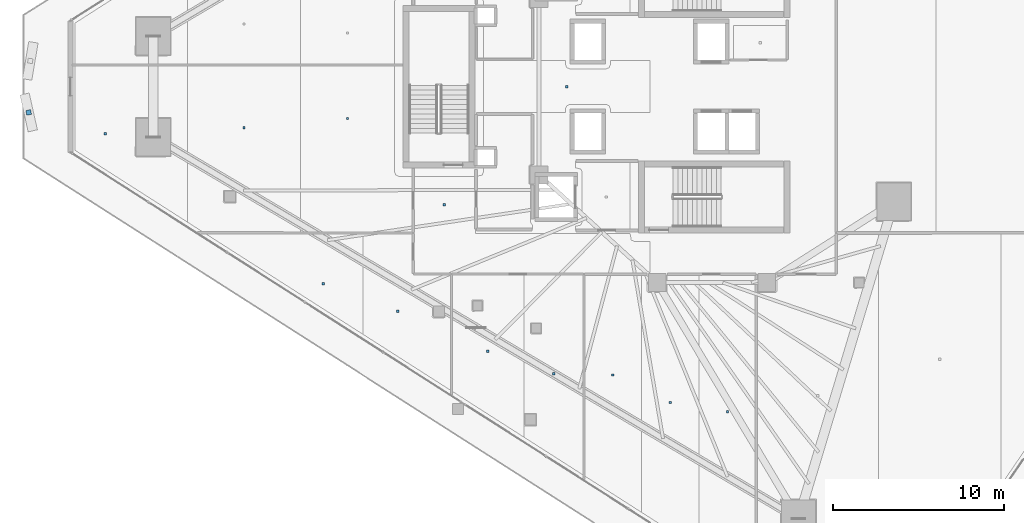
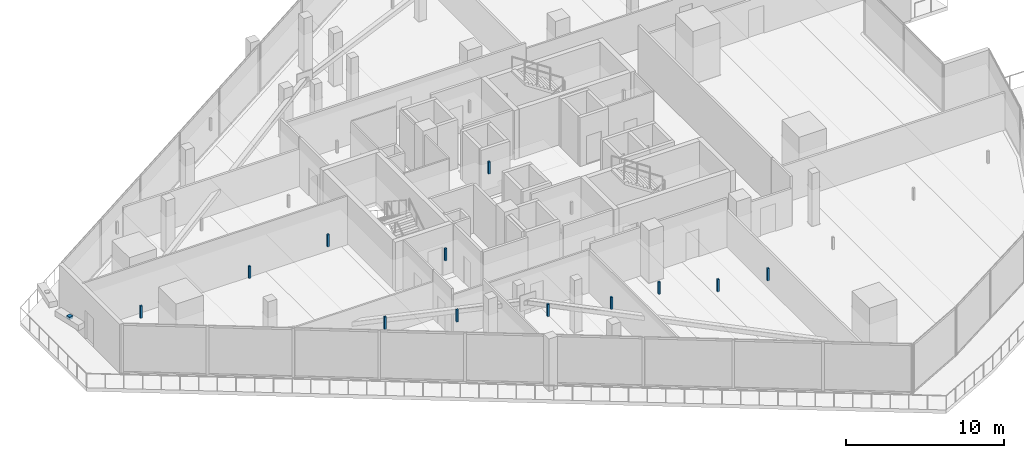
# One storey, part 33 of 45: 13 discrete accessories.
"""IFC4 building model written with IfcOpenShell, lengths in metres."""

from ifc_helpers import new_model, si_unit, direction, frame, origin, origin_2d, place, context, subcontext, project, spatial, rectangle, extrude, material, type_object, element, save


model = new_model("IFC4")

# Units and contexts
model_context = context("Model", 3, precision=1e-05, world=origin(), true_north=direction((0.0, 1.0)))
body_context = subcontext(model_context, "Body", "Model", "MODEL_VIEW")
ifc_project = project(units=[si_unit("LENGTHUNIT", "METRE"), si_unit("AREAUNIT", "SQUARE_METRE"), si_unit("VOLUMEUNIT", "CUBIC_METRE"), si_unit("PLANEANGLEUNIT", "RADIAN"), si_unit("MASSUNIT", "GRAM", prefix="KILO")], contexts=[model_context])

# Site, building, storey
site_placement = place(None, origin())
site = spatial("IfcSite", under=ifc_project, at=site_placement, CompositionType="ELEMENT")
building_placement = place(site_placement, origin())
building = spatial("IfcBuilding", under=site, at=building_placement, Name="Qorvath Tower", CompositionType="ELEMENT")
storey_placement = place(building_placement, frame((0.0, 0.0, 126.0)))
storey = spatial("IfcBuildingStorey", under=building, at=storey_placement, Name="L28", CompositionType="ELEMENT", Elevation=126.0)

# Discrete accessories
ifc_material = material(Name="Galvanised steel bracket", Category="steel")
discrete_accessory_type = type_object("IfcDiscreteAccessoryType", Name="DA-BRACKET", PredefinedType="BRACKET", material=ifc_material)
discrete_accessory_placement = place(storey_placement, frame((-60.33251953125, -1.505615234375, 3.6298828125), z_axis=(0.0, 0.0, 1.0), x_axis=(0.217371580175, -0.976088928393, 0.0)))
element("IfcDiscreteAccessory", 1, at=discrete_accessory_placement, inside=storey, type_object=discrete_accessory_type, Name="Louvre Wave Support Bracket L28-02", PredefinedType="NOTDEFINED", context=body_context, shape_type="SweptSolid", body=[
    extrude(rectangle(XDim=0.280029296875, YDim=0.280029296875, at=origin_2d()), origin(), (0.0, 0.0, 1.0), 0.199951171875),
])
for number, where, z_axis, x_axis, name in (
    (2, (-36.04150390625, -6.906982421875, 2.860107421875), (0.0, 0.0, 1.0), (1.0, 0.0, 0.0), "Acoustic Ceiling Suspension Hanger T1-L28-006"),
    (3, (-28.889892578125, 0.0, 2.860107421875), (0.0, 0.0, 1.0), (1.0, 0.0, 0.0), "Acoustic Ceiling Suspension Hanger T1-L28-008"),
    (4, (-43.119140625, -11.5087890625, 2.860107421875), (0.0, 0.0, 1.0), (1.0, 0.0, 0.0), "Acoustic Ceiling Suspension Hanger T1-L28-015"),
    (5, (-38.77294921875, -13.1142578125, 2.860107421875), (0.0, 0.0, 1.0), (1.0, 0.0, 0.0), "Acoustic Ceiling Suspension Hanger T1-L28-016"),
    (6, (-33.497802734375, -15.458740234375, 2.860107421875), (0.0, 0.0, 1.0), (1.0, 0.0, 0.0), "Acoustic Ceiling Suspension Hanger T1-L28-017"),
    (7, (-29.638427734375, -16.776123046875, 2.860107421875), (0.0, 0.0, 1.0), (1.0, 0.0, 0.0), "Acoustic Ceiling Suspension Hanger T1-L28-018"),
    (8, (-26.191650390625, -16.848876953125, 2.860107421875), (0.0, 0.0, 1.0), (1.0, 0.0, 0.0), "Acoustic Ceiling Suspension Hanger T1-L28-019"),
    (9, (-22.843505859375, -18.454833984375, 2.860107421875), (0.0, 0.0, 1.0), (1.0, 0.0, 0.0), "Acoustic Ceiling Suspension Hanger T1-L28-020"),
    (10, (-19.495361328125, -18.98876953125, 2.860107421875), (0.0, 0.0, 1.0), (1.0, 0.0, 0.0), "Acoustic Ceiling Suspension Hanger T1-L28-021"),
    (11, (-55.86669921875, -2.7587890625, 2.860107421875), (0.0, 0.0, 1.0), (1.0, 0.0, 0.0), "Acoustic Ceiling Suspension Hanger T1-L28-028"),
    (12, (-47.74853515625, -2.395263671875, 2.860107421875), (0.0, 0.0, 1.0), (1.0, 0.0, 0.0), "Acoustic Ceiling Suspension Hanger T1-L28-029"),
    (13, (-41.70166015625, -1.86181640625, 2.860107421875), (0.0, 0.0, 1.0), (1.0, 0.0, 0.0), "Acoustic Ceiling Suspension Hanger T1-L28-030"),
):
    element("IfcDiscreteAccessory", number, at=place(storey_placement, frame(where, z_axis=z_axis, x_axis=x_axis)), inside=storey, type_object=discrete_accessory_type, Name=name, PredefinedType="NOTDEFINED", context=body_context, shape_type="SweptSolid", body=[
        extrude(rectangle(XDim=0.139892578125, YDim=0.139892578125, at=origin_2d()), origin(), (0.0, 0.0, 1.0), 0.93994140625),
    ])

save(model, "model.ifc")
